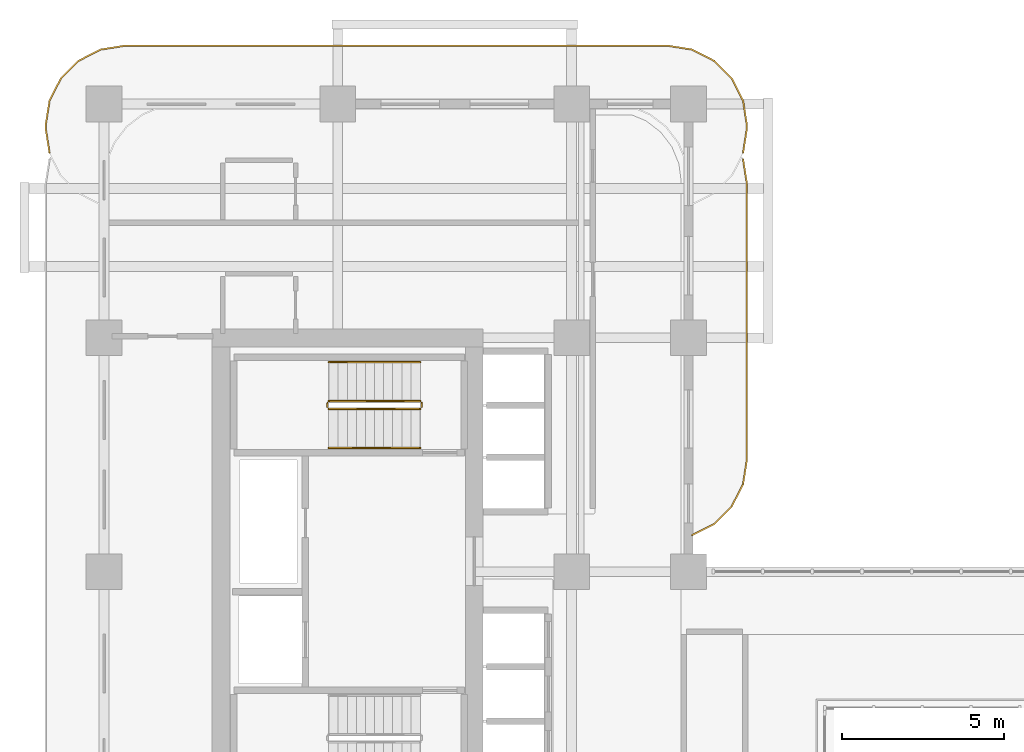
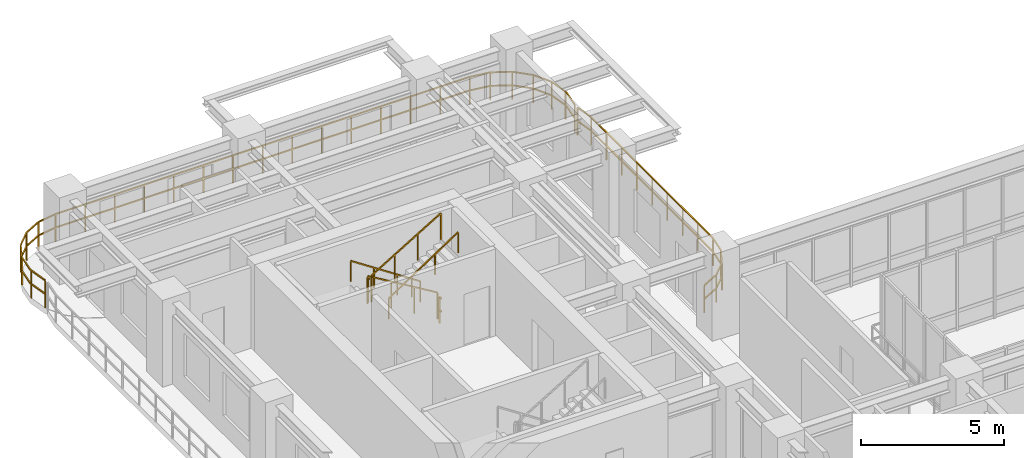
# One storey, part 22 of 22: 8 railings.
"""IFC4 building model written with IfcOpenShell, lengths in metres."""

from ifc_helpers import new_model, si_unit, derived_unit, direction, frame, origin, origin_2d, place, context, subcontext, project, spatial, rectangle, extrude, material, type_object, element, save


model = new_model("IFC4")

# Units and contexts
model_context = context("Model", 3, precision=1e-05, world=origin(), true_north=direction((0.0, 1.0)))
body_context = subcontext(model_context, "Body", "Model", "MODEL_VIEW")
ifc_project = project(units=[si_unit("LENGTHUNIT", "METRE"), si_unit("AREAUNIT", "SQUARE_METRE"), si_unit("VOLUMEUNIT", "CUBIC_METRE"), si_unit("PLANEANGLEUNIT", "RADIAN"), si_unit("MASSUNIT", "GRAM", prefix="KILO"), si_unit("THERMODYNAMICTEMPERATUREUNIT", "KELVIN"), si_unit("POWERUNIT", "WATT"), derived_unit("THERMALTRANSMITTANCEUNIT", [(si_unit("POWERUNIT", "WATT"), 1), (si_unit("AREAUNIT", "SQUARE_METRE"), -1), (si_unit("THERMODYNAMICTEMPERATUREUNIT", "KELVIN"), -1)])], contexts=[model_context])

# Site, building, storey
site_placement = place(None, origin())
site = spatial("IfcSite", under=ifc_project, at=site_placement, CompositionType="ELEMENT")
building_placement = place(site_placement, origin())
building = spatial("IfcBuilding", under=site, at=building_placement, Name="Zahravan Archway Hotel and Residences", CompositionType="ELEMENT")
storey_placement = place(building_placement, frame((0.0, 0.0, 87.89990234375)))
storey = spatial("IfcBuildingStorey", under=building, at=storey_placement, Name="L21", CompositionType="ELEMENT", Elevation=87.89990234375)

# Railings
ifc_material_1 = material(Name="Bronze & Laminated Glass Balustrade", Category="glass")
railing_type_1 = type_object("IfcRailingType", Name="RL-BAL-1200", PredefinedType="BALUSTRADE", material=ifc_material_1)
railing_1_placement = place(storey_placement, frame((-1.68017578125, 45.29296875, 0.0)))
element("IfcRailing", 1, at=railing_1_placement, inside=storey, type_object=railing_type_1, Name="L21 Balustrade RL-SLB-BAL-L21-NB-1", PredefinedType="BALUSTRADE", context=body_context, shape_type="SweptSolid", body=[
    extrude(rectangle(XDim=0.048095703125, YDim=0.048095703125, at=origin_2d()), frame((0.0, 0.0, 1.17578125), z_axis=(-0.156387811283, 0.987695728695, 0.0), x_axis=(-0.987695728695, -0.156387811283, 0.0)), (0.0, 0.0, 1.0), 0.7666015625),
    extrude(rectangle(XDim=0.048095703125, YDim=0.048095703125, at=origin_2d()), frame((0.0, 0.0, 0.60009765625), z_axis=(-0.156387811283, 0.987695728695, 0.0), x_axis=(-0.987695728695, -0.156387811283, 0.0)), (0.0, 0.0, 1.0), 0.7666015625),
    extrude(rectangle(XDim=0.048095703125, YDim=0.048095703125, at=origin_2d()), frame((-0.119873046875, 0.757080078125, 1.17578125), z_axis=(0.0, 1.0, 0.0), x_axis=(-1.0, 0.0, 0.0)), (0.0, 0.0, 1.0), 0.099853515625),
    extrude(rectangle(XDim=0.048095703125, YDim=0.048095703125, at=origin_2d()), frame((-0.119873046875, 0.757080078125, 0.60009765625), z_axis=(0.0, 1.0, 0.0), x_axis=(-1.0, 0.0, 0.0)), (0.0, 0.0, 1.0), 0.099853515625),
    extrude(rectangle(XDim=0.048095703125, YDim=0.048095703125, at=origin_2d()), frame((-0.119873046875, 0.85693359375, 1.17578125), z_axis=(0.156387811283, 0.987695728695, 0.0), x_axis=(-0.987695728695, 0.156387811283, 0.0)), (0.0, 0.0, 1.0), 0.7666015625),
    extrude(rectangle(XDim=0.048095703125, YDim=0.048095703125, at=origin_2d()), frame((-0.119873046875, 0.85693359375, 0.60009765625), z_axis=(0.156387811283, 0.987695728695, 0.0), x_axis=(-0.987695728695, 0.156387811283, 0.0)), (0.0, 0.0, 1.0), 0.7666015625),
    extrude(rectangle(XDim=0.048095703125, YDim=0.048095703125, at=origin_2d()), frame((0.0, 1.614013671875, 1.17578125), z_axis=(0.454078418624, 0.890961721815, 0.0), x_axis=(-0.890961721815, 0.454078418624, 0.0)), (0.0, 0.0, 1.0), 0.7666015625),
    extrude(rectangle(XDim=0.048095703125, YDim=0.048095703125, at=origin_2d()), frame((0.0, 1.614013671875, 0.60009765625), z_axis=(0.454078418624, 0.890961721815, 0.0), x_axis=(-0.890961721815, 0.454078418624, 0.0)), (0.0, 0.0, 1.0), 0.7666015625),
    extrude(rectangle(XDim=0.048095703125, YDim=0.048095703125, at=origin_2d()), frame((0.34814453125, 2.297119140625, 1.17578125), z_axis=(0.707106781187, 0.707106781187, 0.0), x_axis=(-0.707106781187, 0.707106781187, 0.0)), (0.0, 0.0, 1.0), 0.7666015625),
    extrude(rectangle(XDim=0.048095703125, YDim=0.048095703125, at=origin_2d()), frame((0.34814453125, 2.297119140625, 0.60009765625), z_axis=(0.707106781187, 0.707106781187, 0.0), x_axis=(-0.707106781187, 0.707106781187, 0.0)), (0.0, 0.0, 1.0), 0.7666015625),
    extrude(rectangle(XDim=0.048095703125, YDim=0.048095703125, at=origin_2d()), frame((0.89013671875, 2.839111328125, 1.17578125), z_axis=(0.891024909783, 0.453954414172, 0.0), x_axis=(-0.453954414172, 0.891024909783, 0.0)), (0.0, 0.0, 1.0), 0.766357421875),
    extrude(rectangle(XDim=0.048095703125, YDim=0.048095703125, at=origin_2d()), frame((0.89013671875, 2.839111328125, 0.60009765625), z_axis=(0.891024909783, 0.453954414172, 0.0), x_axis=(-0.453954414172, 0.891024909783, 0.0)), (0.0, 0.0, 1.0), 0.766357421875),
    extrude(rectangle(XDim=0.048095703125, YDim=0.048095703125, at=origin_2d()), frame((1.572998046875, 3.18701171875, 1.17578125), z_axis=(0.987646484274, 0.156698507018, 0.0), x_axis=(-0.156698507018, 0.987646484274, 0.0)), (0.0, 0.0, 1.0), 0.7666015625),
    extrude(rectangle(XDim=0.048095703125, YDim=0.048095703125, at=origin_2d()), frame((1.572998046875, 3.18701171875, 0.60009765625), z_axis=(0.987646484274, 0.156698507018, 0.0), x_axis=(-0.156698507018, 0.987646484274, 0.0)), (0.0, 0.0, 1.0), 0.7666015625),
    extrude(rectangle(XDim=0.048095703125, YDim=0.048095703125, at=origin_2d()), frame((2.330078125, 3.30712890625, 1.17578125), z_axis=(1.0, 0.0, 0.0), x_axis=(0.0, 1.0, 0.0)), (0.0, 0.0, 1.0), 16.7001953125),
    extrude(rectangle(XDim=0.048095703125, YDim=0.048095703125, at=origin_2d()), frame((2.330078125, 3.30712890625, 0.60009765625), z_axis=(1.0, 0.0, 0.0), x_axis=(0.0, 1.0, 0.0)), (0.0, 0.0, 1.0), 16.7001953125),
    extrude(rectangle(XDim=0.048095703125, YDim=0.048095703125, at=origin_2d()), frame((19.0302734375, 3.30712890625, 1.17578125), z_axis=(0.987646484274, -0.156698507018, 0.0), x_axis=(0.156698507018, 0.987646484274, 0.0)), (0.0, 0.0, 1.0), 0.7666015625),
    extrude(rectangle(XDim=0.048095703125, YDim=0.048095703125, at=origin_2d()), frame((19.0302734375, 3.30712890625, 0.60009765625), z_axis=(0.987646484274, -0.156698507018, 0.0), x_axis=(0.156698507018, 0.987646484274, 0.0)), (0.0, 0.0, 1.0), 0.7666015625),
    extrude(rectangle(XDim=0.048095703125, YDim=0.048095703125, at=origin_2d()), frame((19.787353515625, 3.18701171875, 1.17578125), z_axis=(0.891024909783, -0.453954414172, 0.0), x_axis=(0.453954414172, 0.891024909783, 0.0)), (0.0, 0.0, 1.0), 0.766357421875),
    extrude(rectangle(XDim=0.048095703125, YDim=0.048095703125, at=origin_2d()), frame((19.787353515625, 3.18701171875, 0.60009765625), z_axis=(0.891024909783, -0.453954414172, 0.0), x_axis=(0.453954414172, 0.891024909783, 0.0)), (0.0, 0.0, 1.0), 0.766357421875),
    extrude(rectangle(XDim=0.048095703125, YDim=0.048095703125, at=origin_2d()), frame((20.47021484375, 2.839111328125, 1.17578125), z_axis=(0.707106781187, -0.707106781187, 0.0), x_axis=(0.707106781187, 0.707106781187, 0.0)), (0.0, 0.0, 1.0), 0.7666015625),
    extrude(rectangle(XDim=0.048095703125, YDim=0.048095703125, at=origin_2d()), frame((20.47021484375, 2.839111328125, 0.60009765625), z_axis=(0.707106781187, -0.707106781187, 0.0), x_axis=(0.707106781187, 0.707106781187, 0.0)), (0.0, 0.0, 1.0), 0.7666015625),
    extrude(rectangle(XDim=0.048095703125, YDim=0.048095703125, at=origin_2d()), frame((21.01220703125, 2.297119140625, 1.17578125), z_axis=(0.454078418624, -0.890961721815, 0.0), x_axis=(0.890961721815, 0.454078418624, 0.0)), (0.0, 0.0, 1.0), 0.7666015625),
    extrude(rectangle(XDim=0.048095703125, YDim=0.048095703125, at=origin_2d()), frame((21.01220703125, 2.297119140625, 0.60009765625), z_axis=(0.454078418624, -0.890961721815, 0.0), x_axis=(0.890961721815, 0.454078418624, 0.0)), (0.0, 0.0, 1.0), 0.7666015625),
    extrude(rectangle(XDim=0.048095703125, YDim=0.048095703125, at=origin_2d()), frame((21.3603515625, 1.614013671875, 1.17578125), z_axis=(0.156387811283, -0.987695728695, 0.0), x_axis=(0.987695728695, 0.156387811283, 0.0)), (0.0, 0.0, 1.0), 0.7666015625),
    extrude(rectangle(XDim=0.048095703125, YDim=0.048095703125, at=origin_2d()), frame((21.3603515625, 1.614013671875, 0.60009765625), z_axis=(0.156387811283, -0.987695728695, 0.0), x_axis=(0.987695728695, 0.156387811283, 0.0)), (0.0, 0.0, 1.0), 0.7666015625),
    extrude(rectangle(XDim=0.048095703125, YDim=0.048095703125, at=origin_2d()), frame((21.480224609375, 0.85693359375, 1.17578125), z_axis=(0.0, -1.0, 0.0), x_axis=(1.0, 0.0, 0.0)), (0.0, 0.0, 1.0), 0.099853515625),
    extrude(rectangle(XDim=0.048095703125, YDim=0.048095703125, at=origin_2d()), frame((21.480224609375, 0.85693359375, 0.60009765625), z_axis=(0.0, -1.0, 0.0), x_axis=(1.0, 0.0, 0.0)), (0.0, 0.0, 1.0), 0.099853515625),
    extrude(rectangle(XDim=0.048095703125, YDim=0.048095703125, at=origin_2d()), frame((21.480224609375, 0.757080078125, 1.17578125), z_axis=(-0.156387811283, -0.987695728695, 0.0), x_axis=(0.987695728695, -0.156387811283, 0.0)), (0.0, 0.0, 1.0), 0.7666015625),
    extrude(rectangle(XDim=0.048095703125, YDim=0.048095703125, at=origin_2d()), frame((21.480224609375, 0.757080078125, 0.60009765625), z_axis=(-0.156387811283, -0.987695728695, 0.0), x_axis=(0.987695728695, -0.156387811283, 0.0)), (0.0, 0.0, 1.0), 0.7666015625),
    extrude(rectangle(XDim=0.0419921875, YDim=0.0419921875, at=origin_2d()), origin(), (0.0, 0.0, 1.0), 1.15185546875),
    extrude(rectangle(XDim=0.0419921875, YDim=0.0419921875, at=origin_2d()), frame((-0.119873046875, 0.757080078125, 0.0)), (0.0, 0.0, 1.0), 1.15185546875),
    extrude(rectangle(XDim=0.0419921875, YDim=0.0419921875, at=origin_2d()), frame((0.0, 1.614013671875, 0.0)), (0.0, 0.0, 1.0), 1.15185546875),
    extrude(rectangle(XDim=0.0419921875, YDim=0.0419921875, at=origin_2d()), frame((0.34814453125, 2.297119140625, 0.0)), (0.0, 0.0, 1.0), 1.15185546875),
    extrude(rectangle(XDim=0.0419921875, YDim=0.0419921875, at=origin_2d()), frame((0.89013671875, 2.839111328125, 0.0)), (0.0, 0.0, 1.0), 1.15185546875),
    extrude(rectangle(XDim=0.0419921875, YDim=0.0419921875, at=origin_2d()), frame((1.572998046875, 3.18701171875, 0.0)), (0.0, 0.0, 1.0), 1.15185546875),
    extrude(rectangle(XDim=0.0419921875, YDim=0.0419921875, at=origin_2d()), frame((2.330078125, 3.30712890625, 0.0)), (0.0, 0.0, 1.0), 1.15185546875),
    extrude(rectangle(XDim=0.0419921875, YDim=0.0419921875, at=origin_2d()), frame((3.52294921875, 3.30712890625, 0.0)), (0.0, 0.0, 1.0), 1.15185546875),
    extrude(rectangle(XDim=0.0419921875, YDim=0.0419921875, at=origin_2d()), frame((4.7158203125, 3.30712890625, 0.0)), (0.0, 0.0, 1.0), 1.15185546875),
    extrude(rectangle(XDim=0.0419921875, YDim=0.0419921875, at=origin_2d()), frame((5.90869140625, 3.30712890625, 0.0)), (0.0, 0.0, 1.0), 1.15185546875),
    extrude(rectangle(XDim=0.0419921875, YDim=0.0419921875, at=origin_2d()), frame((7.1015625, 3.30712890625, 0.0)), (0.0, 0.0, 1.0), 1.15185546875),
    extrude(rectangle(XDim=0.0419921875, YDim=0.0419921875, at=origin_2d()), frame((8.29443359375, 3.30712890625, 0.0)), (0.0, 0.0, 1.0), 1.15185546875),
    extrude(rectangle(XDim=0.0419921875, YDim=0.0419921875, at=origin_2d()), frame((9.4873046875, 3.30712890625, 0.0)), (0.0, 0.0, 1.0), 1.15185546875),
    extrude(rectangle(XDim=0.0419921875, YDim=0.0419921875, at=origin_2d()), frame((10.68017578125, 3.30712890625, 0.0)), (0.0, 0.0, 1.0), 1.15185546875),
    extrude(rectangle(XDim=0.0419921875, YDim=0.0419921875, at=origin_2d()), frame((11.873046875, 3.30712890625, 0.0)), (0.0, 0.0, 1.0), 1.15185546875),
    extrude(rectangle(XDim=0.0419921875, YDim=0.0419921875, at=origin_2d()), frame((13.06591796875, 3.30712890625, 0.0)), (0.0, 0.0, 1.0), 1.15185546875),
    extrude(rectangle(XDim=0.0419921875, YDim=0.0419921875, at=origin_2d()), frame((14.2587890625, 3.30712890625, 0.0)), (0.0, 0.0, 1.0), 1.15185546875),
    extrude(rectangle(XDim=0.0419921875, YDim=0.0419921875, at=origin_2d()), frame((15.45166015625, 3.30712890625, 0.0)), (0.0, 0.0, 1.0), 1.15185546875),
    extrude(rectangle(XDim=0.0419921875, YDim=0.0419921875, at=origin_2d()), frame((16.64453125, 3.30712890625, 0.0)), (0.0, 0.0, 1.0), 1.15185546875),
    extrude(rectangle(XDim=0.0419921875, YDim=0.0419921875, at=origin_2d()), frame((17.83740234375, 3.30712890625, 0.0)), (0.0, 0.0, 1.0), 1.15185546875),
    extrude(rectangle(XDim=0.0419921875, YDim=0.0419921875, at=origin_2d()), frame((19.0302734375, 3.30712890625, 0.0)), (0.0, 0.0, 1.0), 1.15185546875),
    extrude(rectangle(XDim=0.0419921875, YDim=0.0419921875, at=origin_2d()), frame((19.787353515625, 3.18701171875, 0.0)), (0.0, 0.0, 1.0), 1.15185546875),
    extrude(rectangle(XDim=0.0419921875, YDim=0.0419921875, at=origin_2d()), frame((20.47021484375, 2.839111328125, 0.0)), (0.0, 0.0, 1.0), 1.15185546875),
    extrude(rectangle(XDim=0.0419921875, YDim=0.0419921875, at=origin_2d()), frame((21.01220703125, 2.297119140625, 0.0)), (0.0, 0.0, 1.0), 1.15185546875),
    extrude(rectangle(XDim=0.0419921875, YDim=0.0419921875, at=origin_2d()), frame((21.3603515625, 1.614013671875, 0.0)), (0.0, 0.0, 1.0), 1.15185546875),
    extrude(rectangle(XDim=0.0419921875, YDim=0.0419921875, at=origin_2d()), frame((21.480224609375, 0.85693359375, 0.0)), (0.0, 0.0, 1.0), 1.15185546875),
    extrude(rectangle(XDim=0.0419921875, YDim=0.0419921875, at=origin_2d()), frame((21.3603515625, 0.0, 0.0)), (0.0, 0.0, 1.0), 1.15185546875),
])
railing_2_placement = place(storey_placement, frame((19.68017578125, 45.107177734375, 0.0)))
element("IfcRailing", 2, at=railing_2_placement, inside=storey, type_object=railing_type_1, Name="L21 Balustrade RL-SLB-BAL-L21-EB-1", PredefinedType="BALUSTRADE", context=body_context, shape_type="SweptSolid", body=[
    extrude(rectangle(XDim=0.048095703125, YDim=0.048095703125, at=origin_2d()), frame((0.0, 0.0, 1.17578125), z_axis=(0.156387811283, -0.987695728695, 0.0), x_axis=(0.987695728695, 0.156387811283, 0.0)), (0.0, 0.0, 1.0), 0.7666015625),
    extrude(rectangle(XDim=0.048095703125, YDim=0.048095703125, at=origin_2d()), frame((0.0, 0.0, 0.60009765625), z_axis=(0.156387811283, -0.987695728695, 0.0), x_axis=(0.987695728695, 0.156387811283, 0.0)), (0.0, 0.0, 1.0), 0.7666015625),
    extrude(rectangle(XDim=0.048095703125, YDim=0.048095703125, at=origin_2d()), frame((0.119873046875, -0.757080078125, 1.17578125), z_axis=(0.0, -1.0, 0.0), x_axis=(1.0, 0.0, 0.0)), (0.0, 0.0, 1.0), 8.5),
    extrude(rectangle(XDim=0.048095703125, YDim=0.048095703125, at=origin_2d()), frame((0.119873046875, -0.757080078125, 0.60009765625), z_axis=(0.0, -1.0, 0.0), x_axis=(1.0, 0.0, 0.0)), (0.0, 0.0, 1.0), 8.5),
    extrude(rectangle(XDim=0.048095703125, YDim=0.048095703125, at=origin_2d()), frame((0.119873046875, -9.257080078125, 1.17578125), z_axis=(-0.156387811283, -0.987695728695, 0.0), x_axis=(0.987695728695, -0.156387811283, 0.0)), (0.0, 0.0, 1.0), 0.7666015625),
    extrude(rectangle(XDim=0.048095703125, YDim=0.048095703125, at=origin_2d()), frame((0.119873046875, -9.257080078125, 0.60009765625), z_axis=(-0.156387811283, -0.987695728695, 0.0), x_axis=(0.987695728695, -0.156387811283, 0.0)), (0.0, 0.0, 1.0), 0.7666015625),
    extrude(rectangle(XDim=0.048095703125, YDim=0.048095703125, at=origin_2d()), frame((0.0, -10.01416015625, 1.17578125), z_axis=(-0.454078418624, -0.890961721815, 0.0), x_axis=(0.890961721815, -0.454078418624, 0.0)), (0.0, 0.0, 1.0), 0.7666015625),
    extrude(rectangle(XDim=0.048095703125, YDim=0.048095703125, at=origin_2d()), frame((0.0, -10.01416015625, 0.60009765625), z_axis=(-0.454078418624, -0.890961721815, 0.0), x_axis=(0.890961721815, -0.454078418624, 0.0)), (0.0, 0.0, 1.0), 0.7666015625),
    extrude(rectangle(XDim=0.048095703125, YDim=0.048095703125, at=origin_2d()), frame((-0.34814453125, -10.697265625, 1.17578125), z_axis=(-0.707106781187, -0.707106781187, 0.0), x_axis=(0.707106781187, -0.707106781187, 0.0)), (0.0, 0.0, 1.0), 0.7666015625),
    extrude(rectangle(XDim=0.048095703125, YDim=0.048095703125, at=origin_2d()), frame((-0.34814453125, -10.697265625, 0.60009765625), z_axis=(-0.707106781187, -0.707106781187, 0.0), x_axis=(0.707106781187, -0.707106781187, 0.0)), (0.0, 0.0, 1.0), 0.7666015625),
    extrude(rectangle(XDim=0.048095703125, YDim=0.048095703125, at=origin_2d()), frame((-0.89013671875, -11.2392578125, 1.17578125), z_axis=(-0.891024909783, -0.453954414172, 0.0), x_axis=(0.453954414172, -0.891024909783, 0.0)), (0.0, 0.0, 1.0), 0.766357421875),
    extrude(rectangle(XDim=0.048095703125, YDim=0.048095703125, at=origin_2d()), frame((-0.89013671875, -11.2392578125, 0.60009765625), z_axis=(-0.891024909783, -0.453954414172, 0.0), x_axis=(0.453954414172, -0.891024909783, 0.0)), (0.0, 0.0, 1.0), 0.766357421875),
    extrude(rectangle(XDim=0.0419921875, YDim=0.0419921875, at=origin_2d()), origin(), (0.0, 0.0, 1.0), 1.15185546875),
    extrude(rectangle(XDim=0.0419921875, YDim=0.0419921875, at=origin_2d()), frame((0.119873046875, -0.757080078125, 0.0)), (0.0, 0.0, 1.0), 1.15185546875),
    extrude(rectangle(XDim=0.0419921875, YDim=0.0419921875, at=origin_2d()), frame((0.119873046875, -1.819580078125, 0.0)), (0.0, 0.0, 1.0), 1.15185546875),
    extrude(rectangle(XDim=0.0419921875, YDim=0.0419921875, at=origin_2d()), frame((0.119873046875, -2.882080078125, 0.0)), (0.0, 0.0, 1.0), 1.15185546875),
    extrude(rectangle(XDim=0.0419921875, YDim=0.0419921875, at=origin_2d()), frame((0.119873046875, -3.944580078125, 0.0)), (0.0, 0.0, 1.0), 1.15185546875),
    extrude(rectangle(XDim=0.0419921875, YDim=0.0419921875, at=origin_2d()), frame((0.119873046875, -5.007080078125, 0.0)), (0.0, 0.0, 1.0), 1.15185546875),
    extrude(rectangle(XDim=0.0419921875, YDim=0.0419921875, at=origin_2d()), frame((0.119873046875, -6.069580078125, 0.0)), (0.0, 0.0, 1.0), 1.15185546875),
    extrude(rectangle(XDim=0.0419921875, YDim=0.0419921875, at=origin_2d()), frame((0.119873046875, -7.132080078125, 0.0)), (0.0, 0.0, 1.0), 1.15185546875),
    extrude(rectangle(XDim=0.0419921875, YDim=0.0419921875, at=origin_2d()), frame((0.119873046875, -8.194580078125, 0.0)), (0.0, 0.0, 1.0), 1.15185546875),
    extrude(rectangle(XDim=0.0419921875, YDim=0.0419921875, at=origin_2d()), frame((0.119873046875, -9.257080078125, 0.0)), (0.0, 0.0, 1.0), 1.15185546875),
    extrude(rectangle(XDim=0.0419921875, YDim=0.0419921875, at=origin_2d()), frame((0.0, -10.01416015625, 0.0)), (0.0, 0.0, 1.0), 1.15185546875),
    extrude(rectangle(XDim=0.0419921875, YDim=0.0419921875, at=origin_2d()), frame((-0.34814453125, -10.697265625, 0.0)), (0.0, 0.0, 1.0), 1.15185546875),
    extrude(rectangle(XDim=0.0419921875, YDim=0.0419921875, at=origin_2d()), frame((-0.89013671875, -11.2392578125, 0.0)), (0.0, 0.0, 1.0), 1.15185546875),
    extrude(rectangle(XDim=0.0419921875, YDim=0.0419921875, at=origin_2d()), frame((-1.572998046875, -11.587158203125, 0.0)), (0.0, 0.0, 1.0), 1.15185546875),
])
ifc_material_2 = material(Name="Painted Tubular Steel", Category="steel")
railing_type_2 = type_object("IfcRailingType", Name="RL-STG-1150", PredefinedType="GUARDRAIL", material=ifc_material_2)
railing_3_placement = place(storey_placement, frame((9.72998046875, 37.64990234375, 0.168212890625)))
element("IfcRailing", 3, at=railing_3_placement, inside=storey, type_object=railing_type_2, Name="L21 ST-B2 stair guard 1", PredefinedType="GUARDRAIL", context=body_context, shape_type="SweptSolid", body=[
    extrude(rectangle(XDim=0.048095703125, YDim=0.048095703125, at=origin_2d()), frame((0.0, 0.0, 1.1259765625), z_axis=(-0.857242210791, 0.0, 0.514913383045), x_axis=(0.0, -1.0, 0.0)), (0.0, 0.0, 1.0), 3.266357421875),
    extrude(rectangle(XDim=0.0419921875, YDim=0.0419921875, at=origin_2d()), origin(), (0.0, 0.0, 1.0), 1.101806640625),
    extrude(rectangle(XDim=0.0419921875, YDim=0.0419921875, at=origin_2d()), frame((-0.933349609375, 0.0, 0.560546875)), (0.0, 0.0, 1.0), 1.101806640625),
    extrude(rectangle(XDim=0.0419921875, YDim=0.0419921875, at=origin_2d()), frame((-1.86669921875, 0.0, 1.121337890625)), (0.0, 0.0, 1.0), 1.101806640625),
    extrude(rectangle(XDim=0.0419921875, YDim=0.0419921875, at=origin_2d()), frame((-2.800048828125, 0.0, 1.681884765625)), (0.0, 0.0, 1.0), 1.101806640625),
])
railing_4_placement = place(storey_placement, frame((6.8798828125, 37.60009765625, 1.85009765625)))
element("IfcRailing", 4, at=railing_4_placement, inside=storey, type_object=railing_type_2, Name="L21 ST-B2 stair guard 2", PredefinedType="GUARDRAIL", context=body_context, shape_type="SweptSolid", body=[
    extrude(rectangle(XDim=0.048095703125, YDim=0.048095703125, at=origin_2d()), frame((0.0, 0.0, 1.1259765625), z_axis=(0.0, -1.0, 0.0), x_axis=(1.0, 0.0, 0.0)), (0.0, 0.0, 1.0), 0.14013671875),
    extrude(rectangle(XDim=0.048095703125, YDim=0.048095703125, at=origin_2d()), frame((0.0, 0.0, 0.574951171875), z_axis=(0.0, -1.0, 0.0), x_axis=(1.0, 0.0, 0.0)), (0.0, 0.0, 1.0), 0.14013671875),
    extrude(rectangle(XDim=0.0419921875, YDim=0.0419921875, at=origin_2d()), origin(), (0.0, 0.0, 1.0), 1.101806640625),
])
railing_5_placement = place(storey_placement, frame((6.929931640625, 37.409912109375, 2.018310546875)))
element("IfcRailing", 5, at=railing_5_placement, inside=storey, type_object=railing_type_2, Name="L21 ST-B2 stair guard 3", PredefinedType="GUARDRAIL", context=body_context, shape_type="SweptSolid", body=[
    extrude(rectangle(XDim=0.048095703125, YDim=0.048095703125, at=origin_2d()), frame((0.0, 0.0, 1.1259765625), z_axis=(0.857242210791, 0.0, 0.514913383045), x_axis=(0.0, 1.0, 0.0)), (0.0, 0.0, 1.0), 3.266357421875),
    extrude(rectangle(XDim=0.0419921875, YDim=0.0419921875, at=origin_2d()), origin(), (0.0, 0.0, 1.0), 1.101806640625),
    extrude(rectangle(XDim=0.0419921875, YDim=0.0419921875, at=origin_2d()), frame((0.933349609375, 0.0, 0.560546875)), (0.0, 0.0, 1.0), 1.101806640625),
    extrude(rectangle(XDim=0.0419921875, YDim=0.0419921875, at=origin_2d()), frame((1.86669921875, 0.0, 1.121337890625)), (0.0, 0.0, 1.0), 1.101806640625),
    extrude(rectangle(XDim=0.0419921875, YDim=0.0419921875, at=origin_2d()), frame((2.800048828125, 0.0, 1.681884765625)), (0.0, 0.0, 1.0), 1.101806640625),
])
railing_6_placement = place(storey_placement, frame((9.780029296875, 37.60009765625, 0.0)))
element("IfcRailing", 6, at=railing_6_placement, inside=storey, type_object=railing_type_2, Name="L21 ST-B2 stair guard 4", PredefinedType="GUARDRAIL", context=body_context, shape_type="SweptSolid", body=[
    extrude(rectangle(XDim=0.048095703125, YDim=0.048095703125, at=origin_2d()), frame((0.0, 0.0, 1.1259765625), z_axis=(0.0, -1.0, 0.0), x_axis=(1.0, 0.0, 0.0)), (0.0, 0.0, 1.0), 0.14013671875),
    extrude(rectangle(XDim=0.048095703125, YDim=0.048095703125, at=origin_2d()), frame((0.0, 0.0, 0.574951171875), z_axis=(0.0, -1.0, 0.0), x_axis=(1.0, 0.0, 0.0)), (0.0, 0.0, 1.0), 0.14013671875),
    extrude(rectangle(XDim=0.0419921875, YDim=0.0419921875, at=origin_2d()), origin(), (0.0, 0.0, 1.0), 1.101806640625),
])
ifc_material_3 = material(Name="Brushed Stainless Steel", Category="steel")
railing_type_3 = type_object("IfcRailingType", Name="RL-STH-900", PredefinedType="HANDRAIL", material=ifc_material_3)
railing_7_placement = place(storey_placement, frame((9.72998046875, 38.85009765625, 0.168212890625)))
element("IfcRailing", 7, at=railing_7_placement, inside=storey, type_object=railing_type_3, Name="L21 ST-B2 stair handrail 1", PredefinedType="HANDRAIL", context=body_context, shape_type="SweptSolid", body=[
    extrude(rectangle(XDim=0.048095703125, YDim=0.048095703125, at=origin_2d()), frame((0.0, 0.0, 0.8759765625), z_axis=(-0.834326358476, 0.0, 0.551270829586), x_axis=(0.0, -1.0, 0.0)), (0.0, 0.0, 1.0), 3.35595703125),
    extrude(rectangle(XDim=0.0419921875, YDim=0.0419921875, at=origin_2d()), origin(), (0.0, 0.0, 1.0), 0.851806640625),
    extrude(rectangle(XDim=0.0419921875, YDim=0.0419921875, at=origin_2d()), frame((-0.933349609375, 0.0, 0.61669921875)), (0.0, 0.0, 1.0), 0.851806640625),
    extrude(rectangle(XDim=0.0419921875, YDim=0.0419921875, at=origin_2d()), frame((-1.86669921875, 0.0, 1.2333984375)), (0.0, 0.0, 1.0), 0.851806640625),
    extrude(rectangle(XDim=0.0419921875, YDim=0.0419921875, at=origin_2d()), frame((-2.800048828125, 0.0, 1.85009765625)), (0.0, 0.0, 1.0), 0.851806640625),
])
railing_8_placement = place(storey_placement, frame((6.929931640625, 36.2099609375, 2.018310546875)))
element("IfcRailing", 8, at=railing_8_placement, inside=storey, type_object=railing_type_3, Name="L21 ST-B2 stair handrail 2", PredefinedType="HANDRAIL", context=body_context, shape_type="SweptSolid", body=[
    extrude(rectangle(XDim=0.048095703125, YDim=0.048095703125, at=origin_2d()), frame((0.0, 0.0, 0.8759765625), z_axis=(0.83435981716, 0.0, 0.551220187865), x_axis=(0.0, 1.0, 0.0)), (0.0, 0.0, 1.0), 3.35595703125),
    extrude(rectangle(XDim=0.0419921875, YDim=0.0419921875, at=origin_2d()), origin(), (0.0, 0.0, 1.0), 0.851806640625),
    extrude(rectangle(XDim=0.0419921875, YDim=0.0419921875, at=origin_2d()), frame((0.933349609375, 0.0, 0.61669921875)), (0.0, 0.0, 1.0), 0.851806640625),
    extrude(rectangle(XDim=0.0419921875, YDim=0.0419921875, at=origin_2d()), frame((1.86669921875, 0.0, 1.233154296875)), (0.0, 0.0, 1.0), 0.851806640625),
    extrude(rectangle(XDim=0.0419921875, YDim=0.0419921875, at=origin_2d()), frame((2.800048828125, 0.0, 1.849853515625)), (0.0, 0.0, 1.0), 0.851806640625),
])

save(model, "model.ifc")
